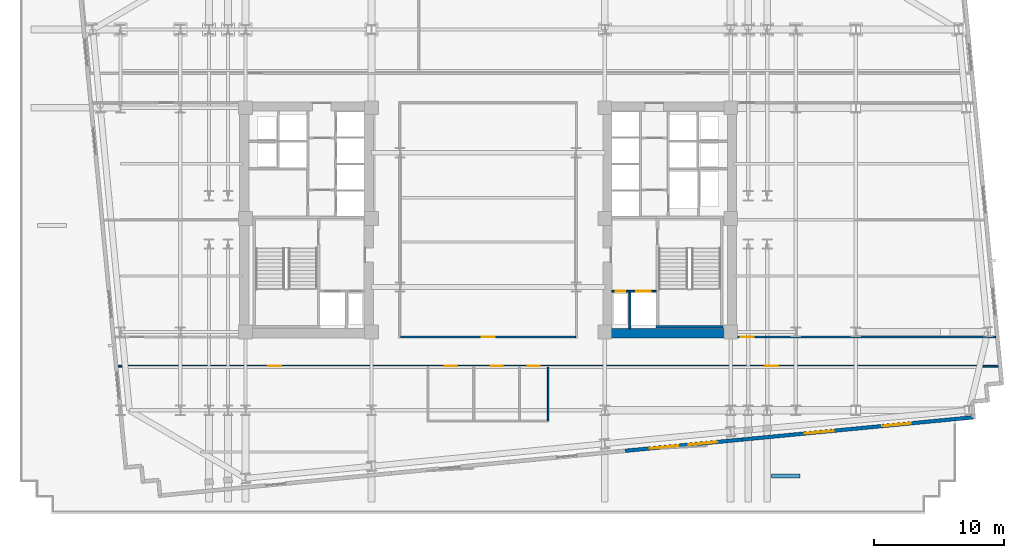
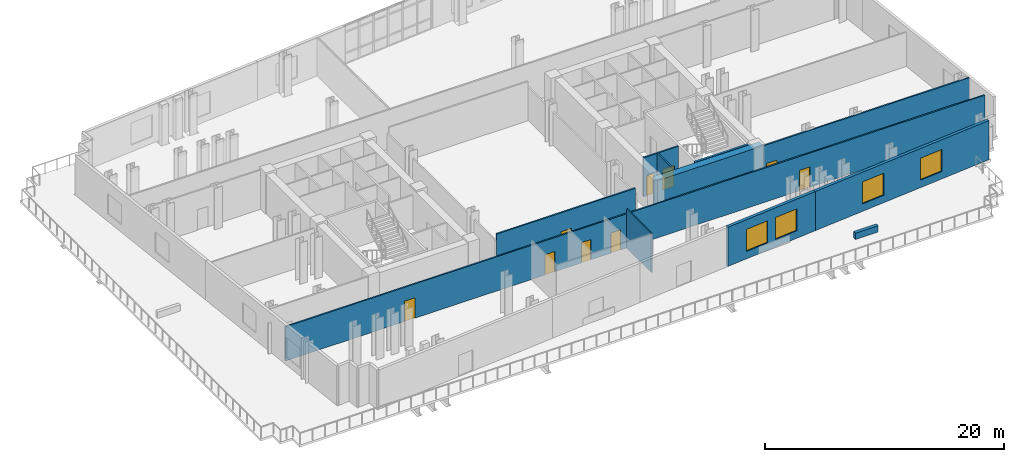
# One storey, part 7 of 14: 11 walls, 9 doors, 4 windows, 13 openings.
"""IFC4 building model written with IfcOpenShell, lengths in metres."""

from ifc_helpers import new_model, si_unit, direction, frame, frame_2d, origin, place, context, subcontext, project, spatial, rectangle, extrude, material, layer, layer_set, type_object, element, fill, save


model = new_model("IFC4")

# Units and contexts
model_context = context("Model", 3, precision=1e-05, world=origin(), true_north=direction((0.0, 1.0)))
body_context = subcontext(model_context, "Body", "Model", "MODEL_VIEW")
ifc_project = project(units=[si_unit("LENGTHUNIT", "METRE"), si_unit("AREAUNIT", "SQUARE_METRE"), si_unit("VOLUMEUNIT", "CUBIC_METRE"), si_unit("PLANEANGLEUNIT", "RADIAN"), si_unit("MASSUNIT", "GRAM", prefix="KILO")], contexts=[model_context])

# Site, building, storey
site_placement = place(None, origin())
site = spatial("IfcSite", under=ifc_project, at=site_placement, CompositionType="ELEMENT")
building_placement = place(site_placement, origin())
building = spatial("IfcBuilding", under=site, at=building_placement, Name="Velakula Bourse", CompositionType="ELEMENT")
storey_placement = place(building_placement, frame((0.0, 0.0, 70.0)))
storey = spatial("IfcBuildingStorey", under=building, at=storey_placement, Name="L18", CompositionType="ELEMENT", Elevation=70.0)

# Walls
ifc_material_1 = material(Name="Concrete M50 (fck 50 MPa)", Category="concrete")
ifc_layer_1 = layer(ifc_material_1, 0.2099609375, Name="Concrete M50 (fck 50 MPa)", Category="concrete")
ifc_layer_set_1 = layer_set([ifc_layer_1], Name="Concrete M50 (fck 50 MPa)")
wall_type_1 = type_object("IfcWallType", Name="WL-CORE-210", PredefinedType="SHEAR", material=ifc_layer_set_1)
wall_1_placement = place(storey_placement, frame((12.889892578125, -8.205078125, 0.0), z_axis=(0.0, 0.0, 1.0), x_axis=(1.0, 0.0, 0.0)))
element("IfcWall", 1, at=wall_1_placement, inside=storey, type_object=wall_type_1, Name="L18 Core E Stairwell Shear Wall S", PredefinedType="SHEAR", context=body_context, shape_type="SweptSolid", body=[
    extrude(rectangle(XDim=5.14013671875, YDim=0.2099609375, at=frame_2d((2.570068359375, 0.0))), origin(), (0.0, 0.0, 1.0), 4.02001953125),
])
ifc_material_2 = material(Name="Concrete M70 (fck 70 MPa)", Category="concrete")
ifc_layer_2 = layer(ifc_material_2, 0.699951171875, Name="Concrete M70 (fck 70 MPa)", Category="concrete")
ifc_layer_set_2 = layer_set([ifc_layer_2], Name="Concrete M70 (fck 70 MPa)")
wall_type_2 = type_object("IfcWallType", Name="WL-CORE-700", PredefinedType="SHEAR", material=ifc_layer_set_2)
wall_2_placement = place(storey_placement, frame((8.800048828125, -8.699951171875, 0.0), z_axis=(0.0, 0.0, 1.0), x_axis=(1.0, 0.0, 0.0)))
element("IfcWall", 2, at=wall_2_placement, inside=storey, type_object=wall_type_2, Name="L18 Core E Shear Wall S", PredefinedType="SHEAR", context=body_context, shape_type="SweptSolid", body=[
    extrude(rectangle(XDim=10.25, YDim=0.699951171875, at=frame_2d((5.125, 0.0))), origin(), (0.0, 0.0, 1.0), 4.02001953125),
])

# Wall, openings, windows
ifc_material_3 = material(Name="Red kilned clay facing brick masonry", Category="masonry")
ifc_layer_3 = layer(ifc_material_3, 0.280029296875, Name="Red kilned clay facing brick masonry", Category="masonry")
ifc_layer_set_3 = layer_set([ifc_layer_3], Name="Red kilned clay facing brick masonry")
wall_type_3 = type_object("IfcWallType", Name="WL-EXT-BRK-280", PredefinedType="STANDARD", material=ifc_layer_set_3)
wall_3_placement = place(storey_placement, frame((19.4736328125, -16.848388671875, 0.0), z_axis=(0.0, 0.0, 1.0), x_axis=(-0.995396794462, -0.09583956164, 0.0)))
wall_3 = element("IfcWall", 3, at=wall_3_placement, inside=storey, type_object=wall_type_3, Name="L18 S Brick Spandrel Wall B4", PredefinedType="STANDARD", context=body_context, shape_type="SweptSolid", body=[
    extrude(rectangle(XDim=9.0, YDim=0.280029296875, at=frame_2d((4.5, 0.0))), origin(), (0.0, 0.0, 1.0), 4.0),
])
opening_1_placement = place(wall_3_placement, frame((1.89990234375, 0.0, 0.760009765625)))
opening_1 = element("IfcOpeningElement", 4, at=opening_1_placement, cuts=wall_3, Name="Opening W-08", PredefinedType="OPENING", context=body_context, shape_type="SweptSolid", body=[
    extrude(rectangle(XDim=2.199951171875, YDim=2.25, at=frame_2d((1.10009765625, 1.125))), frame((0.0, 0.14990234375, 0.0), z_axis=(0.0, -1.0, 0.0), x_axis=(1.0, 0.0, 0.0)), (0.0, 0.0, 1.0), 0.300048828125),
])
opening_2_placement = place(wall_3_placement, frame((4.89990234375, 0.0, 0.760009765625)))
opening_2 = element("IfcOpeningElement", 5, at=opening_2_placement, cuts=wall_3, Name="Opening W-08", PredefinedType="OPENING", context=body_context, shape_type="SweptSolid", body=[
    extrude(rectangle(XDim=2.199951171875, YDim=2.25, at=frame_2d((1.10009765625, 1.125))), frame((0.0, 0.14990234375, 0.0), z_axis=(0.0, -1.0, 0.0), x_axis=(1.0, 0.0, 0.0)), (0.0, 0.0, 1.0), 0.300048828125),
])
ifc_material_4 = material(Name="Double-glazed solar-control Low-E glass", Category="glass")
window_type = type_object("IfcWindowType", Name="WIN-SL-2200x2500", PartitioningType="DOUBLE_PANEL_VERTICAL", PredefinedType="WINDOW", material=ifc_material_4)
window_1_placement = place(opening_1_placement, origin())
window_1 = element("IfcWindow", 6, at=window_1_placement, inside=storey, type_object=window_type, Name="L18 Deep-Set Recessed Window 1", OverallHeight=2.25, OverallWidth=2.199951171875, PartitioningType="DOUBLE_PANEL_VERTICAL", PredefinedType="WINDOW", context=body_context, shape_type="SweptSolid", body=[
    extrude(rectangle(XDim=2.199951171875, YDim=2.25, at=frame_2d((1.10009765625, 1.125))), frame((0.0, 0.030029296875, 0.0), z_axis=(0.0, -1.0, 0.0), x_axis=(1.0, 0.0, 0.0)), (0.0, 0.0, 1.0), 0.06005859375),
])
fill(opening_1, window_1)
window_2_placement = place(opening_2_placement, origin())
window_2 = element("IfcWindow", 7, at=window_2_placement, inside=storey, type_object=window_type, Name="L18 Deep-Set Recessed Window 2", OverallHeight=2.25, OverallWidth=2.199951171875, PartitioningType="DOUBLE_PANEL_VERTICAL", PredefinedType="WINDOW", context=body_context, shape_type="SweptSolid", body=[
    extrude(rectangle(XDim=2.199951171875, YDim=2.25, at=frame_2d((1.10009765625, 1.125))), frame((0.0, 0.030029296875, 0.0), z_axis=(0.0, -1.0, 0.0), x_axis=(1.0, 0.0, 0.0)), (0.0, 0.0, 1.0), 0.06005859375),
])
fill(opening_2, window_2)

wall_4_placement = place(storey_placement, frame((37.2314453125, -15.138427734375, 0.0), z_axis=(0.0, 0.0, 1.0), x_axis=(-0.995395780835, -0.095850088663, 0.0)))
wall_4 = element("IfcWall", 8, at=wall_4_placement, inside=storey, type_object=wall_type_3, Name="L18 S Brick Spandrel Wall B5", PredefinedType="STANDARD", context=body_context, shape_type="SweptSolid", body=[
    extrude(rectangle(XDim=17.83984375, YDim=0.280029296875, at=frame_2d((8.919921875, 0.0))), origin(), (0.0, 0.0, 1.0), 4.0),
])
opening_3_placement = place(wall_4_placement, frame((4.8466796875, 0.0, 0.760009765625)))
opening_3 = element("IfcOpeningElement", 9, at=opening_3_placement, cuts=wall_4, Name="Opening W-08", PredefinedType="OPENING", context=body_context, shape_type="SweptSolid", body=[
    extrude(rectangle(XDim=2.199951171875, YDim=2.25, at=frame_2d((1.10009765625, 1.125))), frame((0.0, 0.14990234375, 0.0), z_axis=(0.0, -1.0, 0.0), x_axis=(1.0, 0.0, 0.0)), (0.0, 0.0, 1.0), 0.300048828125),
])
opening_4_placement = place(wall_4_placement, frame((10.793212890625, 0.0, 0.760009765625)))
opening_4 = element("IfcOpeningElement", 10, at=opening_4_placement, cuts=wall_4, Name="Opening W-08", PredefinedType="OPENING", context=body_context, shape_type="SweptSolid", body=[
    extrude(rectangle(XDim=2.199951171875, YDim=2.25, at=frame_2d((1.10009765625, 1.125))), frame((0.0, 0.14990234375, 0.0), z_axis=(0.0, -1.0, 0.0), x_axis=(1.0, 0.0, 0.0)), (0.0, 0.0, 1.0), 0.300048828125),
])
window_3_placement = place(opening_3_placement, origin())
window_3 = element("IfcWindow", 11, at=window_3_placement, inside=storey, type_object=window_type, Name="L18 Deep-Set Recessed Window 1", OverallHeight=2.25, OverallWidth=2.199951171875, PartitioningType="DOUBLE_PANEL_VERTICAL", PredefinedType="WINDOW", context=body_context, shape_type="SweptSolid", body=[
    extrude(rectangle(XDim=2.199951171875, YDim=2.25, at=frame_2d((1.10009765625, 1.125))), frame((0.0, 0.030029296875, 0.0), z_axis=(0.0, -1.0, 0.0), x_axis=(1.0, 0.0, 0.0)), (0.0, 0.0, 1.0), 0.06005859375),
])
fill(opening_3, window_3)
window_4_placement = place(opening_4_placement, origin())
window_4 = element("IfcWindow", 12, at=window_4_placement, inside=storey, type_object=window_type, Name="L18 Deep-Set Recessed Window 2", OverallHeight=2.25, OverallWidth=2.199951171875, PartitioningType="DOUBLE_PANEL_VERTICAL", PredefinedType="WINDOW", context=body_context, shape_type="SweptSolid", body=[
    extrude(rectangle(XDim=2.199951171875, YDim=2.25, at=frame_2d((1.10009765625, 1.125))), frame((0.0, 0.030029296875, 0.0), z_axis=(0.0, -1.0, 0.0), x_axis=(1.0, 0.0, 0.0)), (0.0, 0.0, 1.0), 0.06005859375),
])
fill(opening_4, window_4)

# Walls
ifc_layer_4 = layer(ifc_material_3, 0.300048828125, Name="Red kilned clay facing brick masonry", Category="masonry")
ifc_layer_set_4 = layer_set([ifc_layer_4], Name="Red kilned clay facing brick masonry")
wall_type_4 = type_object("IfcWallType", Name="WL-PAR-PLN-300", PredefinedType="PARAPET", material=ifc_layer_set_4)
wall_5_placement = place(storey_placement, frame((21.736328125, -19.62890625, 0.0), z_axis=(0.0, 0.0, 1.0), x_axis=(1.0, 0.0, 0.0)))
element("IfcWall", 13, at=wall_5_placement, inside=storey, type_object=wall_type_4, Name="L18 Sky-Garden Brick Planter 2", PredefinedType="PARAPET", context=body_context, shape_type="SweptSolid", body=[
    extrude(rectangle(XDim=2.199951171875, YDim=0.300048828125, at=frame_2d((1.10009765625, 0.0))), origin(), (0.0, 0.0, 1.0), 0.64990234375),
])
ifc_material_5 = material(Name="Fire-rated double-layer gypsum drywall partition", Category="gypsum")
ifc_layer_5 = layer(ifc_material_5, 0.1201171875, Name="Fire-rated double-layer gypsum drywall partition", Category="gypsum")
ifc_layer_set_5 = layer_set([ifc_layer_5], Name="Fire-rated double-layer gypsum drywall partition")
wall_type_5 = type_object("IfcWallType", Name="WL-PART-120", PredefinedType="STANDARD", material=ifc_layer_set_5)
wall_6_placement = place(storey_placement, frame((4.60009765625, -15.419921875, 0.0), z_axis=(0.0, 0.0, 1.0), x_axis=(0.0, 1.0, 0.0)))
element("IfcWall", 14, at=wall_6_placement, inside=storey, type_object=wall_type_5, Name="L18 Interior Partition WL-WC-L18-V4", PredefinedType="STANDARD", context=body_context, shape_type="SweptSolid", body=[
    extrude(rectangle(XDim=4.1298828125, YDim=0.1201171875, at=frame_2d((2.06494140625, 0.0))), origin(), (0.0, 0.0, 1.0), 4.0),
])

# Wall, openings, doors
ifc_layer_6 = layer(ifc_material_5, 0.139892578125, Name="Fire-rated double-layer gypsum drywall partition", Category="gypsum")
ifc_layer_set_6 = layer_set([ifc_layer_6], Name="Fire-rated double-layer gypsum drywall partition")
wall_type_6 = type_object("IfcWallType", Name="WL-PART-140", PredefinedType="STANDARD", material=ifc_layer_set_6)
wall_7_placement = place(storey_placement, frame((-28.40625, -11.219970703125, 0.0), z_axis=(0.0, 0.0, 1.0), x_axis=(1.0, 0.0, 0.0)))
wall_7 = element("IfcWall", 15, at=wall_7_placement, inside=storey, type_object=wall_type_6, Name="L18 Interior Partition WL-INT-L18-S-CORR", PredefinedType="STANDARD", context=body_context, shape_type="SweptSolid", body=[
    extrude(rectangle(XDim=67.551025390625, YDim=0.139892578125, at=frame_2d((33.775390625, 0.0))), origin(), (0.0, 0.0, 1.0), 3.4951171875),
])
opening_5_placement = place(wall_7_placement, frame((25.09619140625, 0.0, 0.0)))
opening_5 = element("IfcOpeningElement", 16, at=opening_5_placement, cuts=wall_7, Name="Opening D-WT1", PredefinedType="OPENING", context=body_context, shape_type="SweptSolid", body=[
    extrude(rectangle(XDim=0.919921875, YDim=2.080078125, at=frame_2d((0.4599609375, 1.0400390625))), frame((0.0, 0.079833984375, 0.0), z_axis=(0.0, -1.0, 0.0), x_axis=(1.0, 0.0, 0.0)), (0.0, 0.0, 1.0), 0.159912109375),
])
opening_6_placement = place(wall_7_placement, frame((28.59619140625, 0.0, 0.0)))
opening_6 = element("IfcOpeningElement", 17, at=opening_6_placement, cuts=wall_7, Name="Opening D-WT1", PredefinedType="OPENING", context=body_context, shape_type="SweptSolid", body=[
    extrude(rectangle(XDim=0.919921875, YDim=2.080078125, at=frame_2d((0.4599609375, 1.0400390625))), frame((0.0, 0.079833984375, 0.0), z_axis=(0.0, -1.0, 0.0), x_axis=(1.0, 0.0, 0.0)), (0.0, 0.0, 1.0), 0.159912109375),
])
opening_7_placement = place(wall_7_placement, frame((31.4462890625, 0.0, 0.0)))
opening_7 = element("IfcOpeningElement", 18, at=opening_7_placement, cuts=wall_7, Name="Opening D-WC1", PredefinedType="OPENING", context=body_context, shape_type="SweptSolid", body=[
    extrude(rectangle(XDim=0.919921875, YDim=2.080078125, at=frame_2d((0.4599609375, 1.0400390625))), frame((0.0, 0.079833984375, 0.0), z_axis=(0.0, -1.0, 0.0), x_axis=(1.0, 0.0, 0.0)), (0.0, 0.0, 1.0), 0.159912109375),
])
opening_8_placement = place(wall_7_placement, frame((11.529052734375, 0.0, 0.0)))
opening_8 = element("IfcOpeningElement", 19, at=opening_8_placement, cuts=wall_7, Name="Opening D-OF1", PredefinedType="OPENING", context=body_context, shape_type="SweptSolid", body=[
    extrude(rectangle(XDim=1.0, YDim=2.080078125, at=frame_2d((0.5, 1.0400390625))), frame((0.0, 0.079833984375, 0.0), z_axis=(0.0, -1.0, 0.0), x_axis=(1.0, 0.0, 0.0)), (0.0, 0.0, 1.0), 0.159912109375),
])
opening_9_placement = place(wall_7_placement, frame((49.652587890625, 0.0, 0.0)))
opening_9 = element("IfcOpeningElement", 20, at=opening_9_placement, cuts=wall_7, Name="Opening D-OF1", PredefinedType="OPENING", context=body_context, shape_type="SweptSolid", body=[
    extrude(rectangle(XDim=1.0, YDim=2.080078125, at=frame_2d((0.5, 1.0400390625))), frame((0.0, 0.079833984375, 0.0), z_axis=(0.0, -1.0, 0.0), x_axis=(1.0, 0.0, 0.0)), (0.0, 0.0, 1.0), 0.159912109375),
])
ifc_material_6 = material(Name="Fire-rated hardwood flush architectural door", Category="wood")
door_type_1 = type_object("IfcDoorType", Name="DR-OFF-1000", OperationType="NOTDEFINED", PredefinedType="DOOR", material=ifc_material_6)
door_1_placement = place(opening_8_placement, origin())
door_1 = element("IfcDoor", 21, at=door_1_placement, inside=storey, type_object=door_type_1, Name="L18 Traders Bistro Restaurant Door", OperationType="SINGLE_SWING_RIGHT", OverallHeight=2.080078125, OverallWidth=1.0, PredefinedType="DOOR", context=body_context, shape_type="SweptSolid", body=[
    extrude(rectangle(XDim=1.0, YDim=2.080078125, at=frame_2d((0.5, 1.0400390625))), frame((0.0, 0.02490234375, 0.0), z_axis=(0.0, -1.0, 0.0), x_axis=(1.0, 0.0, 0.0)), (0.0, 0.0, 1.0), 0.050048828125),
])
fill(opening_8, door_1)
door_2_placement = place(opening_9_placement, origin())
door_2 = element("IfcDoor", 22, at=door_2_placement, inside=storey, type_object=door_type_1, Name="L18 Issuer Relations Office Door", OperationType="SINGLE_SWING_LEFT", OverallHeight=2.080078125, OverallWidth=1.0, PredefinedType="DOOR", context=body_context, shape_type="SweptSolid", body=[
    extrude(rectangle(XDim=1.0, YDim=2.080078125, at=frame_2d((0.5, 1.0400390625))), frame((0.0, 0.02490234375, 0.0), z_axis=(0.0, -1.0, 0.0), x_axis=(1.0, 0.0, 0.0)), (0.0, 0.0, 1.0), 0.050048828125),
])
fill(opening_9, door_2)
door_type_2 = type_object("IfcDoorType", Name="DR-WC-950", OperationType="NOTDEFINED", PredefinedType="DOOR", material=ifc_material_6)
door_3_placement = place(opening_5_placement, origin())
door_3 = element("IfcDoor", 23, at=door_3_placement, inside=storey, type_object=door_type_2, Name="L18 Male Staff Toilet Door", OperationType="SINGLE_SWING_LEFT", OverallHeight=2.080078125, OverallWidth=0.919921875, PredefinedType="DOOR", context=body_context, shape_type="SweptSolid", body=[
    extrude(rectangle(XDim=0.919921875, YDim=2.080078125, at=frame_2d((0.4599609375, 1.0400390625))), frame((0.0, 0.02490234375, 0.0), z_axis=(0.0, -1.0, 0.0), x_axis=(1.0, 0.0, 0.0)), (0.0, 0.0, 1.0), 0.050048828125),
])
fill(opening_5, door_3)
door_4_placement = place(opening_6_placement, origin())
door_4 = element("IfcDoor", 24, at=door_4_placement, inside=storey, type_object=door_type_2, Name="L18 Female Staff Toilet Door", OperationType="SINGLE_SWING_RIGHT", OverallHeight=2.080078125, OverallWidth=0.919921875, PredefinedType="DOOR", context=body_context, shape_type="SweptSolid", body=[
    extrude(rectangle(XDim=0.919921875, YDim=2.080078125, at=frame_2d((0.4599609375, 1.0400390625))), frame((0.0, 0.02490234375, 0.0), z_axis=(0.0, -1.0, 0.0), x_axis=(1.0, 0.0, 0.0)), (0.0, 0.0, 1.0), 0.050048828125),
])
fill(opening_6, door_4)
door_5_placement = place(opening_7_placement, origin())
door_5 = element("IfcDoor", 25, at=door_5_placement, inside=storey, type_object=door_type_2, Name="L18 Accessible WC Door", OperationType="SINGLE_SWING_LEFT", OverallHeight=2.080078125, OverallWidth=0.919921875, PredefinedType="DOOR", context=body_context, shape_type="SweptSolid", body=[
    extrude(rectangle(XDim=0.919921875, YDim=2.080078125, at=frame_2d((0.4599609375, 1.0400390625))), frame((0.0, 0.02490234375, 0.0), z_axis=(0.0, -1.0, 0.0), x_axis=(1.0, 0.0, 0.0)), (0.0, 0.0, 1.0), 0.050048828125),
])
fill(opening_7, door_5)

# Wall, opening, door
wall_8_placement = place(storey_placement, frame((19.050048828125, -8.97998046875, 0.0), z_axis=(0.0, 0.0, 1.0), x_axis=(1.0, 0.0, 0.0)))
wall_8 = element("IfcWall", 26, at=wall_8_placement, inside=storey, type_object=wall_type_6, Name="L18 Interior Partition WL-INT-L18-E-SC", PredefinedType="STANDARD", context=body_context, shape_type="SweptSolid", body=[
    extrude(rectangle(XDim=19.87890625, YDim=0.139892578125, at=frame_2d((9.939453125, 0.0))), origin(), (0.0, 0.0, 1.0), 4.0),
])
opening_10_placement = place(wall_8_placement, frame((0.320068359375, 0.0, 0.0)))
opening_10 = element("IfcOpeningElement", 27, at=opening_10_placement, cuts=wall_8, Name="Opening D-OF1", PredefinedType="OPENING", context=body_context, shape_type="SweptSolid", body=[
    extrude(rectangle(XDim=1.0, YDim=2.080078125, at=frame_2d((0.5, 1.0400390625))), frame((0.0, 0.079833984375, 0.0), z_axis=(0.0, -1.0, 0.0), x_axis=(1.0, 0.0, 0.0)), (0.0, 0.0, 1.0), 0.159912109375),
])
door_6_placement = place(opening_10_placement, origin())
door_6 = element("IfcDoor", 28, at=door_6_placement, inside=storey, type_object=door_type_1, Name="L18 Market Surveillance Control Workspace Door", OperationType="SINGLE_SWING_LEFT", OverallHeight=2.080078125, OverallWidth=1.0, PredefinedType="DOOR", context=body_context, shape_type="SweptSolid", body=[
    extrude(rectangle(XDim=1.0, YDim=2.080078125, at=frame_2d((0.5, 1.0400390625))), frame((0.0, 0.02490234375, 0.0), z_axis=(0.0, -1.0, 0.0), x_axis=(1.0, 0.0, 0.0)), (0.0, 0.0, 1.0), 0.050048828125),
])
fill(opening_10, door_6)

wall_9_placement = place(storey_placement, frame((-6.7099609375, -8.97998046875, 0.0), z_axis=(0.0, 0.0, 1.0), x_axis=(1.0, 0.0, 0.0)))
wall_9 = element("IfcWall", 29, at=wall_9_placement, inside=storey, type_object=wall_type_6, Name="L18 Interior Partition WL-INT-L18-MID-S", PredefinedType="STANDARD", context=body_context, shape_type="SweptSolid", body=[
    extrude(rectangle(XDim=13.419921875, YDim=0.139892578125, at=frame_2d((6.7099609375, 0.0))), origin(), (0.0, 0.0, 1.0), 4.0),
])
opening_11_placement = place(wall_9_placement, frame((6.2099609375, 0.0, 0.0)))
opening_11 = element("IfcOpeningElement", 30, at=opening_11_placement, cuts=wall_9, Name="Opening D-OF1", PredefinedType="OPENING", context=body_context, shape_type="SweptSolid", body=[
    extrude(rectangle(XDim=1.0, YDim=2.080078125, at=frame_2d((0.5, 1.0400390625))), frame((0.0, 0.079833984375, 0.0), z_axis=(0.0, -1.0, 0.0), x_axis=(1.0, 0.0, 0.0)), (0.0, 0.0, 1.0), 0.159912109375),
])
door_7_placement = place(opening_11_placement, origin())
door_7 = element("IfcDoor", 31, at=door_7_placement, inside=storey, type_object=door_type_1, Name="L18 Central Dealing Ring Chamber Door", OperationType="SINGLE_SWING_RIGHT", OverallHeight=2.080078125, OverallWidth=1.0, PredefinedType="DOOR", context=body_context, shape_type="SweptSolid", body=[
    extrude(rectangle(XDim=1.0, YDim=2.080078125, at=frame_2d((0.5, 1.0400390625))), frame((0.0, 0.02490234375, 0.0), z_axis=(0.0, -1.0, 0.0), x_axis=(1.0, 0.0, 0.0)), (0.0, 0.0, 1.0), 0.050048828125),
])
fill(opening_11, door_7)

# Wall, openings, doors
ifc_material_7 = material(Name="Autoclaved aerated concrete blockwork masonry", Category="masonry")
ifc_layer_7 = layer(ifc_material_7, 0.14990234375, Name="Autoclaved aerated concrete blockwork masonry", Category="masonry")
ifc_layer_set_7 = layer_set([ifc_layer_7], Name="Autoclaved aerated concrete blockwork masonry")
wall_type_7 = type_object("IfcWallType", Name="WL-SHAFT-150", PredefinedType="STANDARD", material=ifc_layer_set_7)
wall_10_placement = place(storey_placement, frame((9.5, -5.47509765625, 0.0), z_axis=(0.0, 0.0, 1.0), x_axis=(1.0, 0.0, 0.0)))
wall_10 = element("IfcWall", 32, at=wall_10_placement, inside=storey, type_object=wall_type_7, Name="L18 Interior Partition WL-CRE-L18-FFL-N", PredefinedType="STANDARD", context=body_context, shape_type="SweptSolid", body=[
    extrude(rectangle(XDim=3.39501953125, YDim=0.14990234375, at=frame_2d((1.697509765625, 0.0))), origin(), (0.0, 0.0, 1.0), 4.0),
])
opening_12_placement = place(wall_10_placement, frame((1.875, 0.0, 0.0)))
opening_12 = element("IfcOpeningElement", 33, at=opening_12_placement, cuts=wall_10, Name="Opening LD-FFL-2", PredefinedType="OPENING", context=body_context, shape_type="SweptSolid", body=[
    extrude(rectangle(XDim=1.10009765625, YDim=2.14990234375, at=frame_2d((0.550048828125, 1.074951171875))), frame((0.0, 0.0849609375, 0.0), z_axis=(0.0, -1.0, 0.0), x_axis=(1.0, 0.0, 0.0)), (0.0, 0.0, 1.0), 0.169921875),
])
opening_13_placement = place(wall_10_placement, frame((0.27490234375, 0.0, 0.0)))
opening_13 = element("IfcOpeningElement", 34, at=opening_13_placement, cuts=wall_10, Name="Opening D-RS1", PredefinedType="OPENING", context=body_context, shape_type="SweptSolid", body=[
    extrude(rectangle(XDim=0.75, YDim=2.050048828125, at=frame_2d((0.375, 1.02490234375))), frame((0.0, 0.0849609375, 0.0), z_axis=(0.0, -1.0, 0.0), x_axis=(1.0, 0.0, 0.0)), (0.0, 0.0, 1.0), 0.169921875),
])
ifc_material_8 = material(Name="Galvanised painted hollow steel fire door", Category="steel")
door_type_3 = type_object("IfcDoorType", Name="DR-RISER-800", OperationType="NOTDEFINED", PredefinedType="DOOR", material=ifc_material_8)
door_8_placement = place(opening_13_placement, origin())
door_8 = element("IfcDoor", 35, at=door_8_placement, inside=storey, type_object=door_type_3, Name="L18 Fire Riser Access Door", OperationType="SINGLE_SWING_LEFT", OverallHeight=2.050048828125, OverallWidth=0.75, PredefinedType="DOOR", context=body_context, shape_type="SweptSolid", body=[
    extrude(rectangle(XDim=0.75, YDim=2.050048828125, at=frame_2d((0.375, 1.02490234375))), frame((0.0, 0.02490234375, 0.0), z_axis=(0.0, -1.0, 0.0), x_axis=(1.0, 0.0, 0.0)), (0.0, 0.0, 1.0), 0.050048828125),
])
fill(opening_13, door_8)
ifc_material_9 = material(Name="Brushed grade 316 stainless steel", Category="steel")
door_type_4 = type_object("IfcDoorType", Name="DR-SLIDE-FFL-1100", OperationType="DOUBLE_DOOR_SLIDING", PredefinedType="DOOR", material=ifc_material_9)
door_9_placement = place(opening_12_placement, origin())
door_9 = element("IfcDoor", 36, at=door_9_placement, inside=storey, type_object=door_type_4, Name="L18 Firefighting Lift FFL-2 Sliding Landing Door", OperationType="DOUBLE_DOOR_SLIDING", OverallHeight=2.14990234375, OverallWidth=1.10009765625, PredefinedType="DOOR", context=body_context, shape_type="SweptSolid", body=[
    extrude(rectangle(XDim=1.10009765625, YDim=2.14990234375, at=frame_2d((0.550048828125, 1.074951171875))), frame((0.0, 0.02490234375, 0.0), z_axis=(0.0, -1.0, 0.0), x_axis=(1.0, 0.0, 0.0)), (0.0, 0.0, 1.0), 0.050048828125),
])
fill(opening_12, door_9)

# Wall
wall_11_placement = place(storey_placement, frame((10.875, -8.35009765625, 0.0), z_axis=(0.0, 0.0, 1.0), x_axis=(0.0, 1.0, 0.0)))
element("IfcWall", 37, at=wall_11_placement, inside=storey, type_object=wall_type_7, Name="L18 Interior Partition WL-CRE-L18-FR-DIV", PredefinedType="STANDARD", context=body_context, shape_type="SweptSolid", body=[
    extrude(rectangle(XDim=2.800048828125, YDim=0.14990234375, at=frame_2d((1.39990234375, 0.0))), origin(), (0.0, 0.0, 1.0), 4.0),
])

save(model, "model.ifc")
